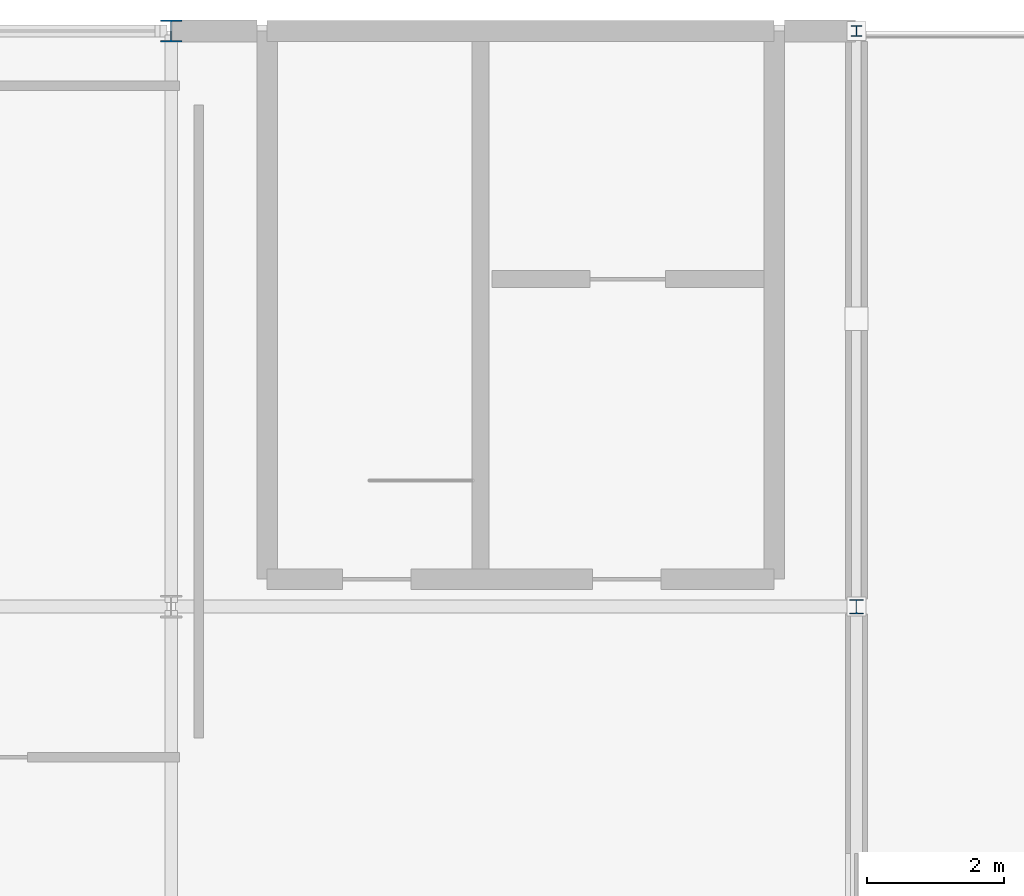
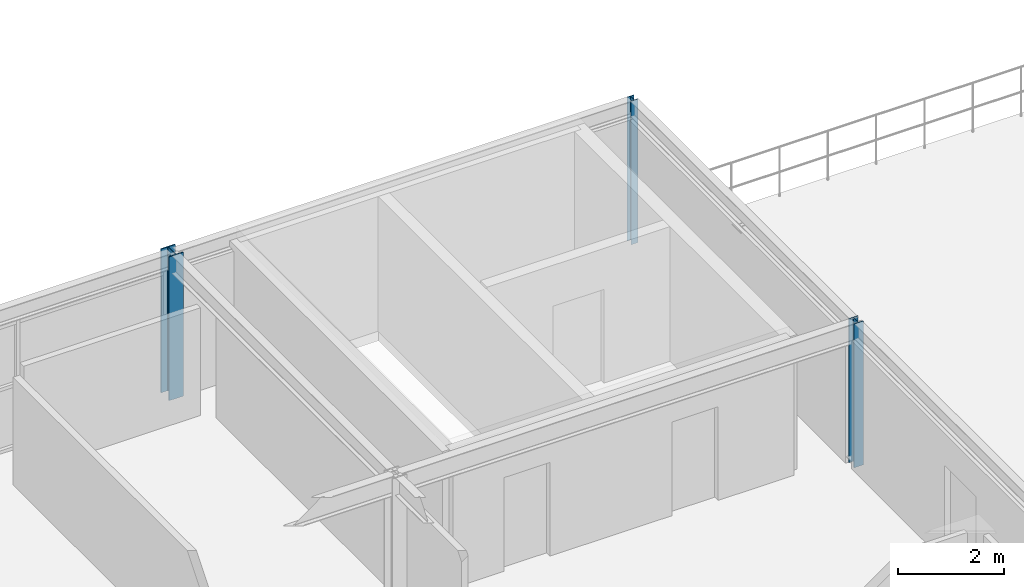
# One storey, part 6 of 12: 3 columns.
"""IFC4 building model written with IfcOpenShell, lengths in metres."""

from ifc_helpers import new_model, si_unit, derived_unit, direction, frame, origin, origin_2d_with_axis, place, context, subcontext, project, spatial, i_section, extrude, material, material_profile, profile_set, type_object, element, save


model = new_model("IFC4")

# Units and contexts
model_context = context("Model", 3, precision=1e-05, world=origin(), true_north=direction((0.0, 1.0)))
body_context = subcontext(model_context, "Body", "Model", "MODEL_VIEW")
ifc_project = project(units=[si_unit("LENGTHUNIT", "METRE"), si_unit("AREAUNIT", "SQUARE_METRE"), si_unit("VOLUMEUNIT", "CUBIC_METRE"), si_unit("PLANEANGLEUNIT", "RADIAN"), si_unit("MASSUNIT", "GRAM", prefix="KILO"), derived_unit("THERMALTRANSMITTANCEUNIT", [(si_unit("POWERUNIT", "WATT"), 1), (si_unit("LENGTHUNIT", "METRE"), -2), (si_unit("THERMODYNAMICTEMPERATUREUNIT", "KELVIN"), -1)])], contexts=[model_context])

# Site, building, storey
site_placement = place(None, origin())
site = spatial("IfcSite", under=ifc_project, at=site_placement, CompositionType="ELEMENT")
building_placement = place(site_placement, origin())
building = spatial("IfcBuilding", under=site, at=building_placement, Name="Cinnabar Yard Market Hall", CompositionType="ELEMENT")
storey_placement = place(building_placement, frame((0.0, 0.0, 15.300048828125)))
storey = spatial("IfcBuildingStorey", under=building, at=storey_placement, Name="L04", CompositionType="ELEMENT", Elevation=15.300048828125)

# Columns
ifc_material_1 = material(Name="Steel Grade 350 (350 MPa)", Category="steel")
ifc_material_profile_1 = material_profile(ifc_material_1, i_section(OverallWidth=0.30908203125, OverallDepth=0.320556640625, WebThickness=0.013916015625, FlangeThickness=0.021728515625, FilletRadius=0.0166015625, at=origin_2d_with_axis()), Name="310UC137")
ifc_profile_set_1 = profile_set([ifc_material_profile_1], Name="Steel Grade 350 (350 MPa)")
column_type_1 = type_object("IfcColumnType", Name="COL-C07E", PredefinedType="COLUMN", material=ifc_profile_set_1)
column_1_placement = place(storey_placement, frame((126.0, 138.0, 0.0), z_axis=(0.0, 0.0, 1.0), x_axis=(1.0, 0.0, 0.0)))
element("IfcColumn", 1, at=column_1_placement, inside=storey, type_object=column_type_1, Name="Belvedere Column V3-07-05 L04", PredefinedType="COLUMN", context=body_context, shape_type="SweptSolid", body=[
    extrude(i_section(OverallWidth=0.30908203125, OverallDepth=0.320556640625, WebThickness=0.013916015625, FlangeThickness=0.021728515625, FilletRadius=0.0166015625, at=origin_2d_with_axis()), origin(), (0.0, 0.0, 1.0), 3.300048828125),
])
ifc_material_2 = material(Name="Steel Grade 300 (300 MPa)", Category="steel")
ifc_material_profile_2 = material_profile(ifc_material_2, i_section(OverallWidth=0.205078125, OverallDepth=0.209716796875, WebThickness=0.00927734375, FlangeThickness=0.01416015625, FilletRadius=0.011474609375, at=origin_2d_with_axis()), Name="200UC59.5")
ifc_profile_set_2 = profile_set([ifc_material_profile_2], Name="Steel Grade 300 (300 MPa)")
column_type_2 = type_object("IfcColumnType", Name="COL-C17E", PredefinedType="COLUMN", material=ifc_profile_set_2)
column_2_placement = place(storey_placement, frame((136.0, 129.60009765625, 0.0), z_axis=(0.0, 0.0, 1.0), x_axis=(1.0, 0.0, 0.0)))
element("IfcColumn", 2, at=column_2_placement, inside=storey, type_object=column_type_2, Name="Belvedere Column V3-08-04 L04", PredefinedType="COLUMN", context=body_context, shape_type="SweptSolid", body=[
    extrude(i_section(OverallWidth=0.205078125, OverallDepth=0.209716796875, WebThickness=0.00927734375, FlangeThickness=0.01416015625, FilletRadius=0.011474609375, at=origin_2d_with_axis()), origin(), (0.0, 0.0, 1.0), 3.300048828125),
])
ifc_material_profile_3 = material_profile(ifc_material_2, i_section(OverallWidth=0.15283203125, OverallDepth=0.15771484375, WebThickness=0.006591796875, FlangeThickness=0.009521484375, FilletRadius=0.0087890625, at=origin_2d_with_axis()), Name="150UC30.0")
ifc_profile_set_3 = profile_set([ifc_material_profile_3], Name="Steel Grade 300 (300 MPa)")
column_type_3 = type_object("IfcColumnType", Name="COL-C18E", PredefinedType="COLUMN", material=ifc_profile_set_3)
column_3_placement = place(storey_placement, frame((136.0, 138.0, 0.0), z_axis=(0.0, 0.0, 1.0), x_axis=(1.0, 0.0, 0.0)))
element("IfcColumn", 3, at=column_3_placement, inside=storey, type_object=column_type_3, Name="Belvedere Column V3-08-05 L04", PredefinedType="COLUMN", context=body_context, shape_type="SweptSolid", body=[
    extrude(i_section(OverallWidth=0.15283203125, OverallDepth=0.15771484375, WebThickness=0.006591796875, FlangeThickness=0.009521484375, FilletRadius=0.0087890625, at=origin_2d_with_axis()), origin(), (0.0, 0.0, 1.0), 3.300048828125),
])

save(model, "model.ifc")
